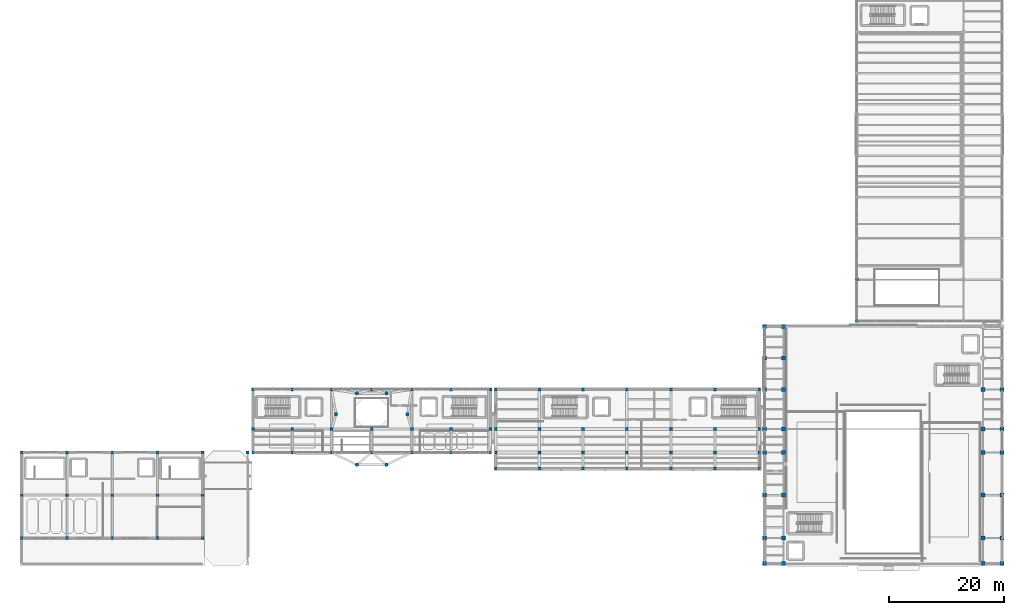
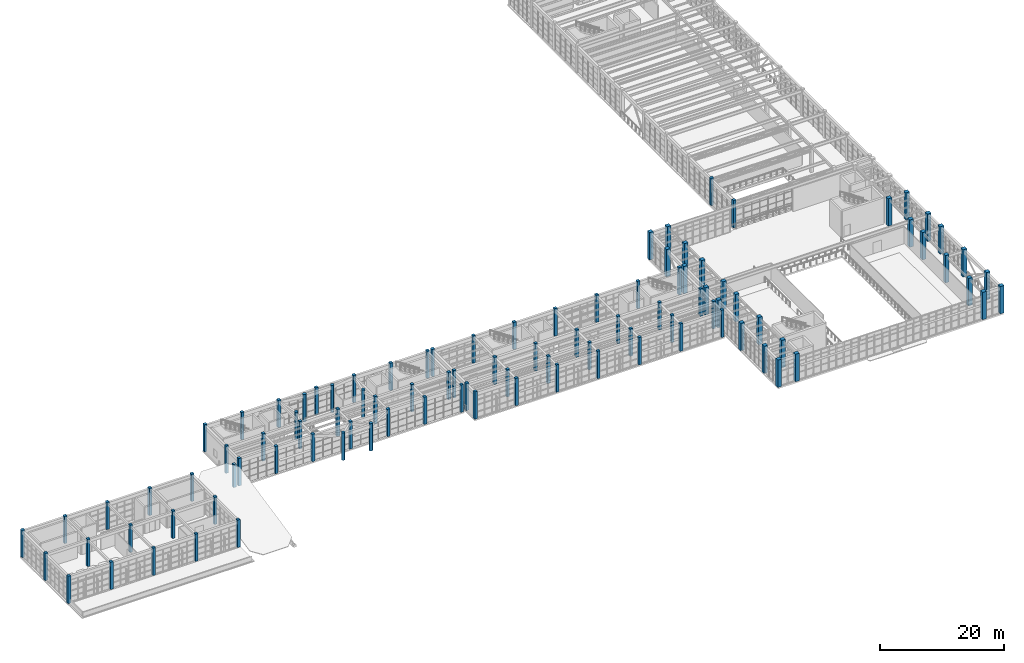
# One storey, part 1 of 103: 101 columns.
"""IFC4 building model written with IfcOpenShell, lengths in metres."""

import ifcopenshell
import ifcopenshell.guid

model = None  # the IFC model being written
_history = None  # IfcOwnerHistory: only IFC2X3 demands one
_inside = {}  # id of a spatial element -> (the spatial element, [elements in it])
_under = {}  # id of a project, library or spatial element -> (it, [spatial elements below it])
_declared = {}  # id of a project -> (the project, [libraries it declares])
_typed = {}  # id of a type object -> (the type object, [elements of that type])
_made_of = {}  # id of a material, layer set ... -> (it, [elements and type objects made of it])


def new_model(schema):
    """Start an empty IFC model of exactly this schema.

    Asked for "IFC4X3", IfcOpenShell would pick the latest addendum, in which some entities
    have other attributes; the version numbers below select the first issue.
    IFC2X3 requires an IfcOwnerHistory on every rooted entity: one is made here for all.
    """
    global model, _history
    if schema == "IFC4X3":
        model = ifcopenshell.file(schema_version=(4, 3, 0, 0))
    else:
        model = ifcopenshell.file(schema=schema)
    _inside.clear()
    _under.clear()
    _declared.clear()
    _typed.clear()
    _made_of.clear()
    _history = None
    if model.schema == "IFC2X3":
        org = make("IfcOrganization", Name="unknown")
        user = make(
            "IfcPersonAndOrganization",
            ThePerson=make("IfcPerson", FamilyName="unknown"),
            TheOrganization=org,
        )
        app = make(
            "IfcApplication",
            ApplicationDeveloper=org,
            Version="unknown",
            ApplicationFullName="unknown",
            ApplicationIdentifier="unknown",
        )
        _history = make(
            "IfcOwnerHistory",
            OwningUser=user,
            OwningApplication=app,
            ChangeAction="ADDED",
            CreationDate=0,
        )
    return model


def make(cls, **values):
    """One entity of the class cls with the attributes given. An attribute that is None is left unset."""
    return model.create_entity(
        cls, **{name: value for name, value in values.items() if value is not None}
    )


def rooted(cls, **values):
    """An entity with a GlobalId (a new one), such as an element, a storey or a relation."""
    return make(cls, GlobalId=ifcopenshell.guid.new(), OwnerHistory=_history, **values)


def si_unit(unit_type, name, prefix=None):
    """IfcSIUnit, for example si_unit("LENGTHUNIT", "METRE", prefix="MILLI")."""
    return make("IfcSIUnit", UnitType=unit_type, Prefix=prefix, Name=name)


def assignment(units):
    """IfcUnitAssignment: the units of a project."""
    return None if units is None else make("IfcUnitAssignment", Units=units)


def point(xyz):
    """IfcCartesianPoint."""
    return None if xyz is None else make("IfcCartesianPoint", Coordinates=xyz)


def direction(xyz):
    """IfcDirection."""
    return None if xyz is None else make("IfcDirection", DirectionRatios=xyz)


def frame(location, z_axis=None, x_axis=None):
    """IfcAxis2Placement3D, a coordinate frame: its origin and axes. An axis left out is left unset."""
    return make(
        "IfcAxis2Placement3D",
        Location=point(location),
        Axis=direction(z_axis),
        RefDirection=direction(x_axis),
    )


def frame_2d(location, x_axis=None):
    """IfcAxis2Placement2D, a coordinate frame in the plane: its origin and x axis."""
    return make(
        "IfcAxis2Placement2D", Location=point(location), RefDirection=direction(x_axis)
    )


def origin():
    """The frame at (0, 0, 0) with its axes left unset."""
    return frame((0.0, 0.0, 0.0))


def origin_2d():
    """The frame at (0, 0) in the plane with its x axis left unset."""
    return frame_2d((0.0, 0.0))


def place(relative_to, where):
    """IfcLocalPlacement: puts the frame where relative to a parent placement (None: the world)."""
    return make(
        "IfcLocalPlacement", PlacementRelTo=relative_to, RelativePlacement=where
    )


def context(
    kind, dimensions, precision=None, world=None, true_north=None, identifier=None
):
    """IfcGeometricRepresentationContext, for example the 3D "Model" context."""
    return make(
        "IfcGeometricRepresentationContext",
        ContextIdentifier=identifier,
        ContextType=kind,
        CoordinateSpaceDimension=dimensions,
        Precision=precision,
        WorldCoordinateSystem=world,
        TrueNorth=true_north,
    )


def subcontext(parent, identifier, kind, view, scale=None):
    """IfcGeometricRepresentationSubContext, for example "Body" below "Model"."""
    return make(
        "IfcGeometricRepresentationSubContext",
        ContextIdentifier=identifier,
        ContextType=kind,
        ParentContext=parent,
        TargetScale=scale,
        TargetView=view,
    )


def project(units=None, contexts=None):
    """IfcProject with its units and contexts."""
    return rooted(
        "IfcProject",
        Name="project",
        RepresentationContexts=contexts,
        UnitsInContext=assignment(units),
    )


def spatial(cls, under=None, at=None, **own):
    """A site, building, storey or space (cls), placed at a placement, below another one or the project."""
    s = rooted(cls, ObjectPlacement=at, **own)
    if under is not None:
        _under.setdefault(under.id(), (under, []))[1].append(s)
    return s


def profile(cls, at=None, kind="AREA", **sizes):
    """A parametric profile (cls). Its sizes go by their IFC names, for example OverallWidth=200.0."""
    return make(cls, ProfileType=kind, Position=at, **sizes)


def rectangle(**sizes):
    """IfcRectangleProfileDef."""
    return profile("IfcRectangleProfileDef", **sizes)


def circle(**sizes):
    """IfcCircleProfileDef."""
    return profile("IfcCircleProfileDef", **sizes)


def extrude(swept, where, along, depth):
    """IfcExtrudedAreaSolid: the profile swept, set in the frame where, extruded along a direction by depth."""
    return make(
        "IfcExtrudedAreaSolid",
        SweptArea=swept,
        Position=where,
        ExtrudedDirection=direction(along),
        Depth=depth,
    )


def shape(context_of_items, identifier, shape_type, items):
    """IfcShapeRepresentation: the items that make up one representation, for example the "Body"."""
    return make(
        "IfcShapeRepresentation",
        ContextOfItems=context_of_items,
        RepresentationIdentifier=identifier,
        RepresentationType=shape_type,
        Items=items,
    )


def material(Name=None, Category=None):
    """IfcMaterial."""
    return make("IfcMaterial", Name=Name, Category=Category)


def material_profile(
    of_material, cross_section, Name=None, Category=None, Priority=None
):
    """IfcMaterialProfile: a cross section and its material."""
    return make(
        "IfcMaterialProfile",
        Name=Name,
        Material=of_material,
        Profile=cross_section,
        Priority=Priority,
        Category=Category,
    )


def profile_set(profiles, Name=None, composite=None):
    """IfcMaterialProfileSet."""
    return make(
        "IfcMaterialProfileSet",
        Name=Name,
        MaterialProfiles=profiles,
        CompositeProfile=composite,
    )


def made_of(thing, what):
    """Note that an element or type object is made of a material, layer set ...; save() writes the relation."""
    if what is not None:
        _made_of.setdefault(what.id(), (what, []))[1].append(thing)
    return thing


def type_object(cls, material=None, **own):
    """A type object (cls), such as IfcWallType, which elements share."""
    return made_of(rooted(cls, **own), material)


def element(
    cls,
    number,
    at=None,
    inside=None,
    cuts=None,
    type_object=None,
    material=None,
    context=None,
    identifier="Body",
    shape_type=None,
    held_by="IfcProductDefinitionShape",
    body=None,
    shapes=None,
    **own,
):
    """One element of the class cls, such as IfcWall. Its Tag is "e" and its number.

    at: its placement. inside: the storey or other place that contains it. cuts: it is an
    opening in that element (IfcRelVoidsElement). A single representation is given by context,
    identifier, shape_type and body (its items); several are given by shapes. held_by: the class
    of the entity that holds the representations. save() writes the other relations.
    """
    e = rooted(cls, Tag="e%d" % number, ObjectPlacement=at, **own)
    if body is not None:
        shapes = [shape(context, identifier, shape_type, body)]
    if shapes is not None:
        e.Representation = make(held_by, Representations=shapes)
    if inside is not None:
        _inside.setdefault(inside.id(), (inside, []))[1].append(e)
    if cuts is not None:
        rooted(
            "IfcRelVoidsElement", RelatingBuildingElement=cuts, RelatedOpeningElement=e
        )
    if type_object is not None:
        _typed.setdefault(type_object.id(), (type_object, []))[1].append(e)
    return made_of(e, material)


def aggregate(whole, parts):
    """IfcRelAggregates: a whole, such as a stair, and the parts it consists of."""
    return rooted("IfcRelAggregates", RelatingObject=whole, RelatedObjects=parts)


def save(model, path):
    """Write the relations noted so far, then the file.

    IfcRelAggregates (storeys below a building ...), IfcRelContainedInSpatialStructure (elements
    in a storey), IfcRelDefinesByType, IfcRelAssociatesMaterial and IfcRelDeclares: one each for
    every whole, place, type object, material and project.
    """
    for whole, parts in _under.values():
        aggregate(whole, parts)
    for where, things in _inside.values():
        rooted(
            "IfcRelContainedInSpatialStructure",
            RelatedElements=things,
            RelatingStructure=where,
        )
    for kind, things in _typed.values():
        rooted("IfcRelDefinesByType", RelatedObjects=things, RelatingType=kind)
    for what, things in _made_of.values():
        rooted("IfcRelAssociatesMaterial", RelatedObjects=things, RelatingMaterial=what)
    for by, libraries in _declared.values():
        rooted("IfcRelDeclares", RelatingContext=by, RelatedDefinitions=libraries)
    model.write(path)


model = new_model("IFC4")

# Units and contexts
model_context = context("Model", 3, precision=1e-05, world=origin(), true_north=direction((0.0, 1.0)))
body_context = subcontext(model_context, "Body", "Model", "MODEL_VIEW")
ifc_project = project(units=[si_unit("LENGTHUNIT", "METRE"), si_unit("AREAUNIT", "SQUARE_METRE"), si_unit("VOLUMEUNIT", "CUBIC_METRE"), si_unit("PLANEANGLEUNIT", "RADIAN"), si_unit("MASSUNIT", "GRAM", prefix="KILO")], contexts=[model_context])

# Site, building, storey
site_placement = place(None, origin())
site = spatial("IfcSite", under=ifc_project, at=site_placement, CompositionType="ELEMENT")
building_placement = place(site_placement, origin())
building = spatial("IfcBuilding", under=site, at=building_placement, Name="Candilejo Ridge Gondola Terminal", CompositionType="ELEMENT")
storey_placement = place(building_placement, frame((0.0, 0.0, 9.0)))
storey = spatial("IfcBuildingStorey", under=building, at=storey_placement, Name="L02", CompositionType="ELEMENT", Elevation=9.0)

# Columns
ifc_material_1 = material(Name="Concrete f'c 35 MPa (C35/45)", Category="concrete")
ifc_material_profile_1 = material_profile(ifc_material_1, rectangle(XDim=0.5, YDim=0.5, at=origin_2d()))
ifc_profile_set_1 = profile_set([ifc_material_profile_1], Name="Concrete f'c 35 MPa (C35/45)")
column_type_1 = type_object("IfcColumnType", Name="STR-COL-RC500", PredefinedType="COLUMN", material=ifc_profile_set_1)
for number, where, z_axis, x_axis, name in (
    (1, (4.300048828125, 10.800048828125, 0.0), (0.0, 0.0, 1.0), (1.0, 0.0, 0.0), "Column V1 L02 X01-Y02"),
    (2, (4.300048828125, 18.25, 0.0), (0.0, 0.0, 1.0), (1.0, 0.0, 0.0), "Column V1 L02 X01-Y03"),
    (3, (4.300048828125, 25.699951171875, 0.0), (0.0, 0.0, 1.0), (1.0, 0.0, 0.0), "Column V1 L02 X01-Y05"),
    (4, (12.199951171875, 10.800048828125, 0.0), (0.0, 0.0, 1.0), (1.0, 0.0, 0.0), "Column V1 L02 X02-Y02"),
    (5, (12.199951171875, 18.25, 0.0), (0.0, 0.0, 1.0), (1.0, 0.0, 0.0), "Column V1 L02 X02-Y03"),
    (6, (12.199951171875, 25.699951171875, 0.0), (0.0, 0.0, 1.0), (1.0, 0.0, 0.0), "Column V1 L02 X02-Y05"),
    (7, (20.10009765625, 10.800048828125, 0.0), (0.0, 0.0, 1.0), (1.0, 0.0, 0.0), "Column V1 L02 X03-Y02"),
    (8, (20.10009765625, 18.25, 0.0), (0.0, 0.0, 1.0), (1.0, 0.0, 0.0), "Column V1 L02 X03-Y03"),
    (9, (20.10009765625, 25.699951171875, 0.0), (0.0, 0.0, 1.0), (1.0, 0.0, 0.0), "Column V1 L02 X03-Y05"),
    (10, (28.0, 10.800048828125, 0.0), (0.0, 0.0, 1.0), (1.0, 0.0, 0.0), "Column V1 L02 X04-Y02"),
    (11, (28.0, 18.25, 0.0), (0.0, 0.0, 1.0), (1.0, 0.0, 0.0), "Column V1 L02 X04-Y03"),
    (12, (28.0, 25.699951171875, 0.0), (0.0, 0.0, 1.0), (1.0, 0.0, 0.0), "Column V1 L02 X04-Y05"),
    (13, (35.85009765625, 10.800048828125, 0.0), (0.0, 0.0, 1.0), (1.0, 0.0, 0.0), "Column V1 L02 X05-Y02"),
    (14, (35.85009765625, 18.25, 0.0), (0.0, 0.0, 1.0), (1.0, 0.0, 0.0), "Column V1 L02 X05-Y03"),
    (15, (35.85009765625, 25.699951171875, 0.0), (0.0, 0.0, 1.0), (1.0, 0.0, 0.0), "Column V1 L02 X05-Y05"),
    (16, (44.64990234375, 25.699951171875, 0.0), (0.0, 0.0, 1.0), (1.0, 0.0, 0.0), "Column V2 L02 X07-Y05"),
    (17, (44.64990234375, 29.800048828125, 0.0), (0.0, 0.0, 1.0), (1.0, 0.0, 0.0), "Column V2 L02 X07-Y06"),
    (18, (44.64990234375, 36.699951171875, 0.0), (0.0, 0.0, 1.0), (1.0, 0.0, 0.0), "Column V2 L02 X07-Y07"),
    (19, (51.5, 25.699951171875, 0.0), (0.0, 0.0, 1.0), (1.0, 0.0, 0.0), "Column V2 L02 X08-Y05"),
    (20, (51.5, 29.800048828125, 0.0), (0.0, 0.0, 1.0), (1.0, 0.0, 0.0), "Column V2 L02 X08-Y06"),
    (21, (51.5, 36.699951171875, 0.0), (0.0, 0.0, 1.0), (1.0, 0.0, 0.0), "Column V2 L02 X08-Y07"),
    (22, (58.35009765625, 25.699951171875, 0.0), (0.0, 0.0, 1.0), (1.0, 0.0, 0.0), "Column V2 L02 X09-Y05"),
    (23, (58.35009765625, 29.800048828125, 0.0), (0.0, 0.0, 1.0), (1.0, 0.0, 0.0), "Column V2 L02 X09-Y06"),
    (24, (58.35009765625, 36.699951171875, 0.0), (0.0, 0.0, 1.0), (1.0, 0.0, 0.0), "Column V2 L02 X09-Y07"),
    (25, (65.35009765625, 25.699951171875, 0.0), (0.0, 0.0, 1.0), (1.0, 0.0, 0.0), "Column V2 L02 X10-Y05"),
    (26, (65.35009765625, 29.800048828125, 0.0), (0.0, 0.0, 1.0), (1.0, 0.0, 0.0), "Column V2 L02 X10-Y06"),
    (27, (65.35009765625, 36.699951171875, 0.0), (0.0, 0.0, 1.0), (1.0, 0.0, 0.0), "Column V2 L02 X10-Y07"),
    (28, (72.35009765625, 25.699951171875, 0.0), (0.0, 0.0, 1.0), (1.0, 0.0, 0.0), "Column V2 L02 X11-Y05"),
    (29, (72.35009765625, 29.800048828125, 0.0), (0.0, 0.0, 1.0), (1.0, 0.0, 0.0), "Column V2 L02 X11-Y06"),
    (30, (72.35009765625, 36.699951171875, 0.0), (0.0, 0.0, 1.0), (1.0, 0.0, 0.0), "Column V2 L02 X11-Y07"),
    (31, (79.199951171875, 25.699951171875, 0.0), (0.0, 0.0, 1.0), (1.0, 0.0, 0.0), "Column V2 L02 X12-Y05"),
    (32, (79.199951171875, 29.800048828125, 0.0), (0.0, 0.0, 1.0), (1.0, 0.0, 0.0), "Column V2 L02 X12-Y06"),
    (33, (79.199951171875, 36.699951171875, 0.0), (0.0, 0.0, 1.0), (1.0, 0.0, 0.0), "Column V2 L02 X12-Y07"),
    (34, (86.050048828125, 25.699951171875, 0.0), (0.0, 0.0, 1.0), (1.0, 0.0, 0.0), "Column V2 L02 X13-Y05"),
    (35, (86.050048828125, 29.800048828125, 0.0), (0.0, 0.0, 1.0), (1.0, 0.0, 0.0), "Column V2 L02 X13-Y06"),
    (36, (86.050048828125, 36.699951171875, 0.0), (0.0, 0.0, 1.0), (1.0, 0.0, 0.0), "Column V2 L02 X13-Y07"),
    (37, (87.0, 22.89990234375, 0.0), (0.0, 0.0, 1.0), (1.0, 0.0, 0.0), "Column V3 L02 X14-Y04"),
    (38, (87.0, 25.699951171875, 0.0), (0.0, 0.0, 1.0), (1.0, 0.0, 0.0), "Column V3 L02 X14-Y05"),
    (39, (87.0, 29.800048828125, 0.0), (0.0, 0.0, 1.0), (1.0, 0.0, 0.0), "Column V3 L02 X14-Y06"),
    (40, (87.0, 36.699951171875, 0.0), (0.0, 0.0, 1.0), (1.0, 0.0, 0.0), "Column V3 L02 X14-Y07"),
    (41, (94.60009765625, 22.89990234375, 0.0), (0.0, 0.0, 1.0), (1.0, 0.0, 0.0), "Column V3 L02 X15-Y04"),
    (42, (94.60009765625, 25.699951171875, 0.0), (0.0, 0.0, 1.0), (1.0, 0.0, 0.0), "Column V3 L02 X15-Y05"),
    (43, (94.60009765625, 29.800048828125, 0.0), (0.0, 0.0, 1.0), (1.0, 0.0, 0.0), "Column V3 L02 X15-Y06"),
    (44, (94.60009765625, 36.699951171875, 0.0), (0.0, 0.0, 1.0), (1.0, 0.0, 0.0), "Column V3 L02 X15-Y07"),
    (45, (102.199951171875, 22.89990234375, 0.0), (0.0, 0.0, 1.0), (1.0, 0.0, 0.0), "Column V3 L02 X16-Y04"),
    (46, (102.199951171875, 25.699951171875, 0.0), (0.0, 0.0, 1.0), (1.0, 0.0, 0.0), "Column V3 L02 X16-Y05"),
    (47, (102.199951171875, 29.800048828125, 0.0), (0.0, 0.0, 1.0), (1.0, 0.0, 0.0), "Column V3 L02 X16-Y06"),
    (48, (102.199951171875, 36.699951171875, 0.0), (0.0, 0.0, 1.0), (1.0, 0.0, 0.0), "Column V3 L02 X16-Y07"),
    (49, (109.85009765625, 22.89990234375, 0.0), (0.0, 0.0, 1.0), (1.0, 0.0, 0.0), "Column V3 L02 X17-Y04"),
    (50, (109.85009765625, 25.699951171875, 0.0), (0.0, 0.0, 1.0), (1.0, 0.0, 0.0), "Column V3 L02 X17-Y05"),
    (51, (109.85009765625, 29.800048828125, 0.0), (0.0, 0.0, 1.0), (1.0, 0.0, 0.0), "Column V3 L02 X17-Y06"),
    (52, (109.85009765625, 36.699951171875, 0.0), (0.0, 0.0, 1.0), (1.0, 0.0, 0.0), "Column V3 L02 X17-Y07"),
    (53, (117.550048828125, 22.89990234375, 0.0), (0.0, 0.0, 1.0), (1.0, 0.0, 0.0), "Column V3 L02 X18-Y04"),
    (54, (117.550048828125, 25.699951171875, 0.0), (0.0, 0.0, 1.0), (1.0, 0.0, 0.0), "Column V3 L02 X18-Y05"),
    (55, (117.550048828125, 29.800048828125, 0.0), (0.0, 0.0, 1.0), (1.0, 0.0, 0.0), "Column V3 L02 X18-Y06"),
    (56, (117.550048828125, 36.699951171875, 0.0), (0.0, 0.0, 1.0), (1.0, 0.0, 0.0), "Column V3 L02 X18-Y07"),
    (57, (125.25, 22.89990234375, 0.0), (0.0, 0.0, 1.0), (1.0, 0.0, 0.0), "Column V3 L02 X19-Y04"),
    (58, (125.25, 25.699951171875, 0.0), (0.0, 0.0, 1.0), (1.0, 0.0, 0.0), "Column V3 L02 X19-Y05"),
    (59, (125.25, 29.800048828125, 0.0), (0.0, 0.0, 1.0), (1.0, 0.0, 0.0), "Column V3 L02 X19-Y06"),
    (60, (125.25, 36.699951171875, 0.0), (0.0, 0.0, 1.0), (1.0, 0.0, 0.0), "Column V3 L02 X19-Y07"),
    (61, (132.949951171875, 22.89990234375, 0.0), (0.0, 0.0, 1.0), (1.0, 0.0, 0.0), "Column V3 L02 X20-Y04"),
    (62, (132.949951171875, 25.699951171875, 0.0), (0.0, 0.0, 1.0), (1.0, 0.0, 0.0), "Column V3 L02 X20-Y05"),
    (63, (132.949951171875, 29.800048828125, 0.0), (0.0, 0.0, 1.0), (1.0, 0.0, 0.0), "Column V3 L02 X20-Y06"),
    (64, (132.949951171875, 36.699951171875, 0.0), (0.0, 0.0, 1.0), (1.0, 0.0, 0.0), "Column V3 L02 X20-Y07"),
    (65, (150.0, 48.64990234375, 0.0), (0.0, 0.0, 1.0), (1.0, 0.0, 0.0), "Column V5 L02 X23-Y10"),
    (66, (150.0, 55.85009765625, 0.0), (0.0, 0.0, 1.0), (1.0, 0.0, 0.0), "Column V5 L02 X23-Y11"),
):
    element("IfcColumn", number, at=place(storey_placement, frame(where, z_axis=z_axis, x_axis=x_axis)), inside=storey, type_object=column_type_1, Name=name, PredefinedType="COLUMN", context=body_context, shape_type="SweptSolid", body=[
        extrude(rectangle(XDim=0.5, YDim=0.5, at=origin_2d()), origin(), (0.0, 0.0, 1.0), 5.39990234375),
    ])
column_placement = place(storey_placement, frame((43.699951171875, 25.699951171875, 0.0), z_axis=(0.0, 0.0, 1.0), x_axis=(1.0, 0.0, 0.0)))
element("IfcColumn", 67, at=column_placement, inside=storey, type_object=column_type_1, Name="Roof ridge column RF-V1-STEP-01-N", PredefinedType="COLUMN", context=body_context, shape_type="SweptSolid", body=[
    extrude(rectangle(XDim=0.5, YDim=0.5, at=origin_2d()), origin(), (0.0, 0.0, 1.0), 4.55615234375),
])
ifc_material_2 = material(Name="Concrete f'c 35 MPa (C35/45)", Category="concrete")
ifc_material_profile_2 = material_profile(ifc_material_2, rectangle(XDim=0.699951171875, YDim=0.699951171875, at=origin_2d()))
ifc_profile_set_2 = profile_set([ifc_material_profile_2], Name="Concrete f'c 35 MPa (C35/45)")
column_type_2 = type_object("IfcColumnType", Name="STR-COL-RC700", PredefinedType="COLUMN", material=ifc_profile_set_2)
for number, where, z_axis, x_axis, name in (
    (68, (133.89990234375, 6.300048828125, 0.0), (0.0, 0.0, 1.0), (1.0, 0.0, 0.0), "Column V4 L02 X21-Y01"),
    (69, (133.89990234375, 10.800048828125, 0.0), (0.0, 0.0, 1.0), (1.0, 0.0, 0.0), "Column V4 L02 X21-Y02"),
    (70, (133.89990234375, 18.25, 0.0), (0.0, 0.0, 1.0), (1.0, 0.0, 0.0), "Column V4 L02 X21-Y03"),
    (71, (133.89990234375, 25.699951171875, 0.0), (0.0, 0.0, 1.0), (1.0, 0.0, 0.0), "Column V4 L02 X21-Y05"),
    (72, (133.89990234375, 29.800048828125, 0.0), (0.0, 0.0, 1.0), (1.0, 0.0, 0.0), "Column V4 L02 X21-Y06"),
    (73, (133.89990234375, 36.699951171875, 0.0), (0.0, 0.0, 1.0), (1.0, 0.0, 0.0), "Column V4 L02 X21-Y07"),
    (74, (133.89990234375, 42.199951171875, 0.0), (0.0, 0.0, 1.0), (1.0, 0.0, 0.0), "Column V4 L02 X21-Y08"),
    (75, (133.89990234375, 47.699951171875, 0.0), (0.0, 0.0, 1.0), (1.0, 0.0, 0.0), "Column V4 L02 X21-Y09"),
    (76, (137.199951171875, 6.300048828125, 0.0), (0.0, 0.0, 1.0), (1.0, 0.0, 0.0), "Column V4 L02 X22-Y01"),
    (77, (137.199951171875, 10.800048828125, 0.0), (0.0, 0.0, 1.0), (1.0, 0.0, 0.0), "Column V4 L02 X22-Y02"),
    (78, (137.199951171875, 18.25, 0.0), (0.0, 0.0, 1.0), (1.0, 0.0, 0.0), "Column V4 L02 X22-Y03"),
    (79, (137.199951171875, 25.699951171875, 0.0), (0.0, 0.0, 1.0), (1.0, 0.0, 0.0), "Column V4 L02 X22-Y05"),
    (80, (137.199951171875, 29.800048828125, 0.0), (0.0, 0.0, 1.0), (1.0, 0.0, 0.0), "Column V4 L02 X22-Y06"),
    (81, (137.199951171875, 36.699951171875, 0.0), (0.0, 0.0, 1.0), (1.0, 0.0, 0.0), "Column V4 L02 X22-Y07"),
    (82, (137.199951171875, 42.199951171875, 0.0), (0.0, 0.0, 1.0), (1.0, 0.0, 0.0), "Column V4 L02 X22-Y08"),
    (83, (137.199951171875, 47.699951171875, 0.0), (0.0, 0.0, 1.0), (1.0, 0.0, 0.0), "Column V4 L02 X22-Y09"),
    (84, (172.0, 6.300048828125, 0.0), (0.0, 0.0, 1.0), (1.0, 0.0, 0.0), "Column V4 L02 X26-Y01"),
    (85, (172.0, 10.800048828125, 0.0), (0.0, 0.0, 1.0), (1.0, 0.0, 0.0), "Column V4 L02 X26-Y02"),
    (86, (172.0, 18.25, 0.0), (0.0, 0.0, 1.0), (1.0, 0.0, 0.0), "Column V4 L02 X26-Y03"),
    (87, (172.0, 25.699951171875, 0.0), (0.0, 0.0, 1.0), (1.0, 0.0, 0.0), "Column V4 L02 X26-Y05"),
    (88, (172.0, 29.800048828125, 0.0), (0.0, 0.0, 1.0), (1.0, 0.0, 0.0), "Column V4 L02 X26-Y06"),
    (89, (172.0, 36.699951171875, 0.0), (0.0, 0.0, 1.0), (1.0, 0.0, 0.0), "Column V4 L02 X26-Y07"),
    (90, (175.300048828125, 6.300048828125, 0.0), (0.0, 0.0, 1.0), (1.0, 0.0, 0.0), "Column V4 L02 X27-Y01"),
    (91, (175.300048828125, 10.800048828125, 0.0), (0.0, 0.0, 1.0), (1.0, 0.0, 0.0), "Column V4 L02 X27-Y02"),
    (92, (175.300048828125, 18.25, 0.0), (0.0, 0.0, 1.0), (1.0, 0.0, 0.0), "Column V4 L02 X27-Y03"),
    (93, (175.300048828125, 25.699951171875, 0.0), (0.0, 0.0, 1.0), (1.0, 0.0, 0.0), "Column V4 L02 X27-Y05"),
    (94, (175.300048828125, 29.800048828125, 0.0), (0.0, 0.0, 1.0), (1.0, 0.0, 0.0), "Column V4 L02 X27-Y06"),
    (95, (175.300048828125, 36.699951171875, 0.0), (0.0, 0.0, 1.0), (1.0, 0.0, 0.0), "Column V4 L02 X27-Y07"),
):
    element("IfcColumn", number, at=place(storey_placement, frame(where, z_axis=z_axis, x_axis=x_axis)), inside=storey, type_object=column_type_2, Name=name, PredefinedType="COLUMN", context=body_context, shape_type="SweptSolid", body=[
        extrude(rectangle(XDim=0.699951171875, YDim=0.699951171875, at=origin_2d()), origin(), (0.0, 0.0, 1.0), 5.39990234375),
    ])
ifc_material_3 = material(Name="Concrete f'c 35 MPa (C35/45)", Category="concrete")
ifc_material_profile_3 = material_profile(ifc_material_3, circle(Radius=0.300048828125, at=origin_2d()))
ifc_profile_set_3 = profile_set([ifc_material_profile_3], Name="Concrete f'c 35 MPa (C35/45)")
column_type_3 = type_object("IfcColumnType", Name="STR-COL-RCD600", PredefinedType="COLUMN", material=ifc_profile_set_3)
for number, where, z_axis, x_axis, name in (
    (96, (71.586181640625, 32.383056640625, 0.0), (0.0, 0.0, 1.0), (1.0, 0.0, 0.0), "Column V2 L02 ROT1-OCT"),
    (97, (67.93310546875, 36.0361328125, 0.0), (0.0, 0.0, 1.0), (1.0, 0.0, 0.0), "Column V2 L02 ROT2-OCT"),
    (98, (62.766845703125, 36.0361328125, 0.0), (0.0, 0.0, 1.0), (1.0, 0.0, 0.0), "Column V2 L02 ROT3-OCT"),
    (99, (59.11376953125, 32.383056640625, 0.0), (0.0, 0.0, 1.0), (1.0, 0.0, 0.0), "Column V2 L02 ROT4-OCT"),
    (100, (62.766845703125, 23.563720703125, 0.0), (0.0, 0.0, 1.0), (1.0, 0.0, 0.0), "Column V2 L02 ROT6-OCT"),
    (101, (67.93310546875, 23.563720703125, 0.0), (0.0, 0.0, 1.0), (1.0, 0.0, 0.0), "Column V2 L02 ROT7-OCT"),
):
    element("IfcColumn", number, at=place(storey_placement, frame(where, z_axis=z_axis, x_axis=x_axis)), inside=storey, type_object=column_type_3, Name=name, PredefinedType="COLUMN", context=body_context, shape_type="SweptSolid", body=[
        extrude(circle(Radius=0.300048828125, at=origin_2d()), origin(), (0.0, 0.0, 1.0), 5.39990234375),
    ])

save(model, "model.ifc")
